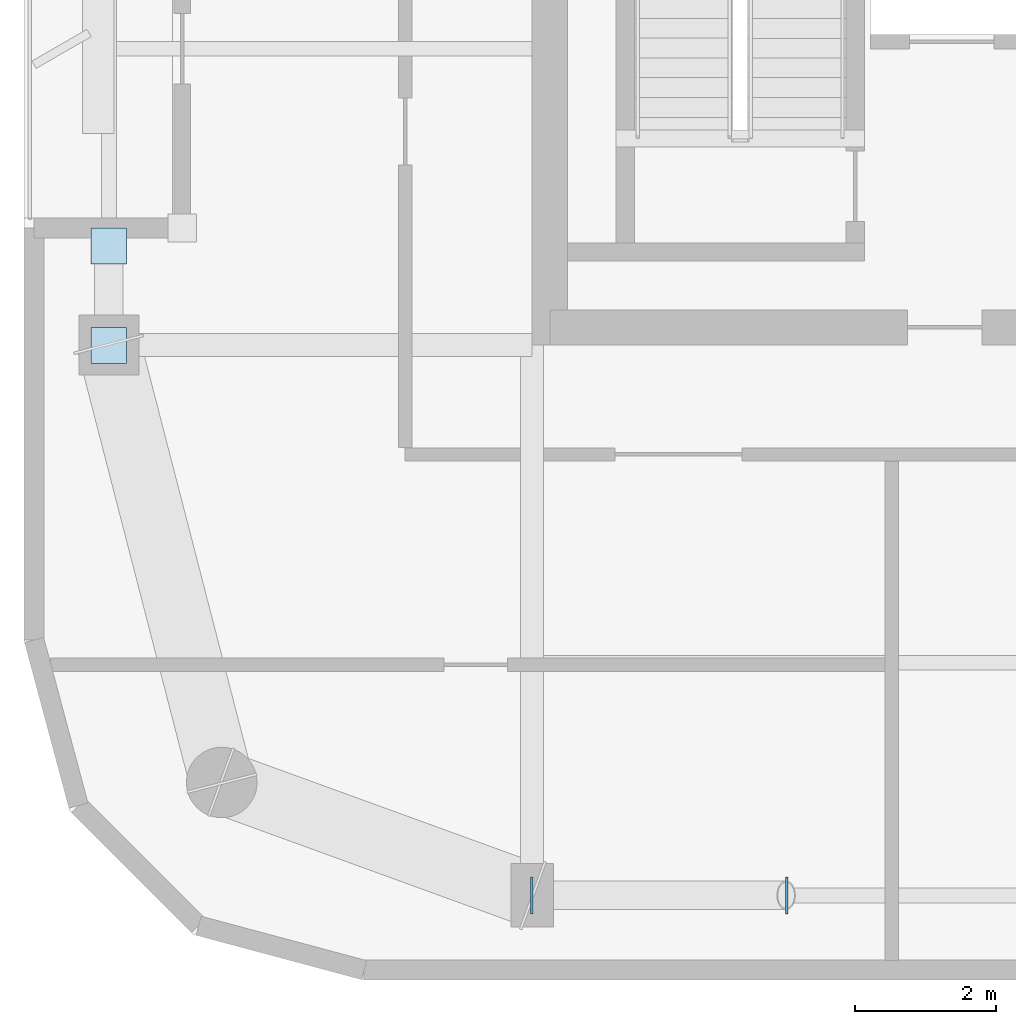
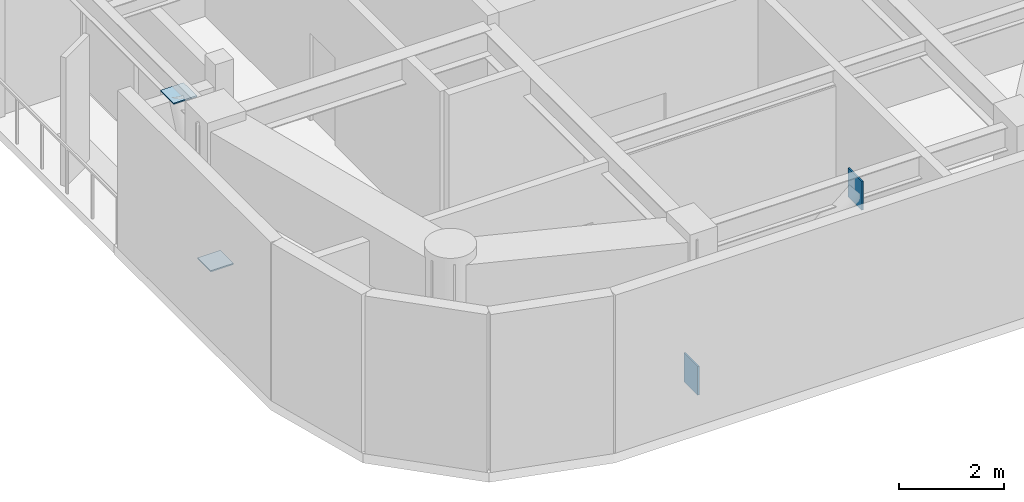
# One storey, part 8 of 16: 4 plates.
"""IFC4 building model written with IfcOpenShell, lengths in metres."""

from ifc_helpers import new_model, si_unit, direction, frame, origin, origin_2d, place, context, subcontext, project, spatial, rectangle, extrude, material, layer, layer_set, type_object, element, save


model = new_model("IFC4")

# Units and contexts
model_context = context("Model", 3, precision=1e-05, world=origin(), true_north=direction((0.0, 1.0)))
body_context = subcontext(model_context, "Body", "Model", "MODEL_VIEW")
ifc_project = project(units=[si_unit("LENGTHUNIT", "METRE"), si_unit("AREAUNIT", "SQUARE_METRE"), si_unit("VOLUMEUNIT", "CUBIC_METRE"), si_unit("PLANEANGLEUNIT", "RADIAN"), si_unit("MASSUNIT", "GRAM", prefix="KILO")], contexts=[model_context])

# Site, building, storey
site_placement = place(None, origin())
site = spatial("IfcSite", under=ifc_project, at=site_placement, CompositionType="ELEMENT")
building_placement = place(site_placement, origin())
building = spatial("IfcBuilding", under=site, at=building_placement, Name="Kiyonajd Concourse Tower", CompositionType="ELEMENT")
storey_placement = place(building_placement, frame((0.0, 0.0, 333.60009765625)))
storey = spatial("IfcBuildingStorey", under=building, at=storey_placement, Name="L84", CompositionType="ELEMENT", Elevation=333.60009765625)

# Plates
ifc_material = material(Name="Steel ASTM A572 Grade 50", Category="steel")
ifc_layer = layer(ifc_material, 0.028076171875)
ifc_layer_set = layer_set([ifc_layer], Name="Steel ASTM A572 Grade 50")
plate_type = type_object("IfcPlateType", Name="PL-CAP-450", PredefinedType="USERDEFINED", material=ifc_layer_set)
for number, where, z_axis, x_axis, name in (
    (1, (32.3916015625, 19.800048828125, -0.042724609375), (0.0, 0.0, 1.0), (-1.0, 0.0, 0.0), "L84 Hollow Brace End Cap Plate PBS"),
    (2, (36.00830078125, 19.800048828125, 3.00146484375), (0.0, 0.0, 1.0), (1.0, 0.0, 0.0), "L84 Hollow Brace Top Cap Plate PBS"),
):
    element("IfcPlate", number, at=place(storey_placement, frame(where, z_axis=z_axis, x_axis=x_axis)), inside=storey, type_object=plate_type, Name=name, ObjectType="CAP PLATE", PredefinedType="USERDEFINED", context=body_context, shape_type="SweptSolid", body=[
        extrude(rectangle(XDim=0.035888671875, YDim=0.52587890625, at=origin_2d()), origin(), (0.0, 0.0, 1.0), 0.6708984375),
    ])
for number, where, z_axis, x_axis, name in (
    (3, (26.39990234375, 27.595458984375, 0.27587890625), (0.0, 0.0, 1.0), (1.0, 0.0, 0.0), "L84 Hollow Brace End Cap Plate PBW"),
    (4, (26.39990234375, 29.004638671875, 3.32568359375), (0.0, 0.0, 1.0), (1.0, 0.0, 0.0), "L84 Hollow Brace Top Cap Plate PBW"),
):
    element("IfcPlate", number, at=place(storey_placement, frame(where, z_axis=z_axis, x_axis=x_axis)), inside=storey, type_object=plate_type, Name=name, ObjectType="CAP PLATE", PredefinedType="USERDEFINED", context=body_context, shape_type="SweptSolid", body=[
        extrude(rectangle(XDim=0.506103515625, YDim=0.506103515625, at=origin_2d()), origin(), (0.0, 0.0, 1.0), 0.028076171875),
    ])

save(model, "model.ifc")
